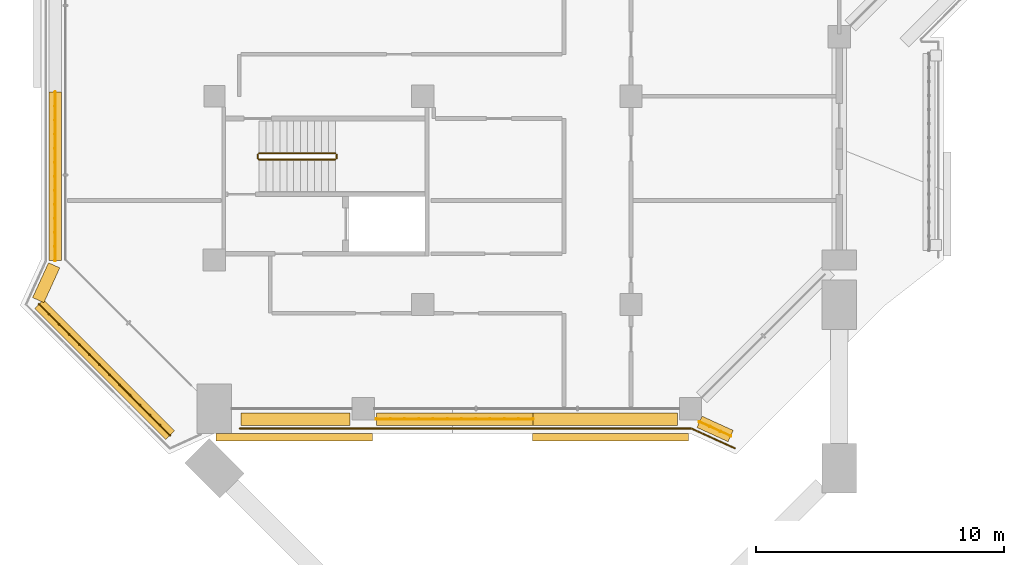
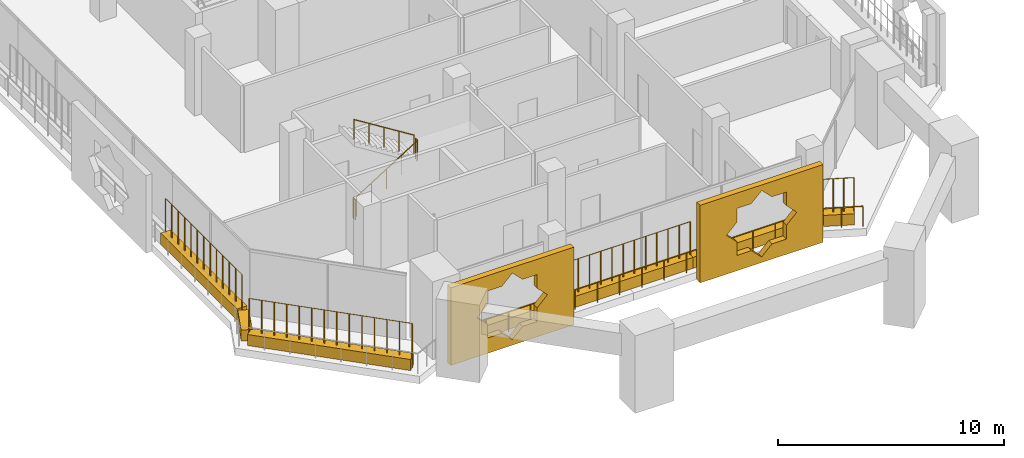
# One storey, part 17 of 23: 9 coverings, 9 railings.
"""IFC4 building model written with IfcOpenShell, lengths in metres."""

from ifc_helpers import new_model, si_unit, direction, frame, origin, origin_2d, place, context, subcontext, project, spatial, polyline, rectangle, circle, outline, extrude, material, material_profile, profile_set, type_object, element, save


model = new_model("IFC4")

# Units and contexts
model_context = context("Model", 3, precision=1e-05, world=origin(), true_north=direction((0.0, 1.0)))
body_context = subcontext(model_context, "Body", "Model", "MODEL_VIEW")
ifc_project = project(units=[si_unit("LENGTHUNIT", "METRE"), si_unit("AREAUNIT", "SQUARE_METRE"), si_unit("VOLUMEUNIT", "CUBIC_METRE"), si_unit("PLANEANGLEUNIT", "RADIAN"), si_unit("MASSUNIT", "GRAM", prefix="KILO")], contexts=[model_context])

# Site, building, storey
site_placement = place(None, origin())
site = spatial("IfcSite", under=ifc_project, at=site_placement, CompositionType="ELEMENT")
building_placement = place(site_placement, origin())
building = spatial("IfcBuilding", under=site, at=building_placement, Name="Kawkab Arch Medical Tower", CompositionType="ELEMENT")
storey_placement = place(building_placement, frame((0.0, 0.0, 222.199951171875)))
storey = spatial("IfcBuildingStorey", under=building, at=storey_placement, Name="L51", CompositionType="ELEMENT", Elevation=222.199951171875)

# Railing
ifc_material_1 = material(Name="Bronze anodised aluminium guard", Category="aluminium")
railing_type_1 = type_object("IfcRailingType", Name="Loggia and terrace guard 1100", PredefinedType="GUARDRAIL", material=ifc_material_1)
railing_1_placement = place(storey_placement, frame((20.9951171875, -47.798095703125, 0.0)))
element("IfcRailing", 1, at=railing_1_placement, inside=storey, type_object=railing_type_1, Name="Guard L51.LOG-01.2.1", PredefinedType="GUARDRAIL", context=body_context, shape_type="SweptSolid", body=[
    extrude(circle(Radius=0.02392578125, at=origin_2d()), frame((0.0, 0.0, 1.076171875), z_axis=(-0.910044860056, 0.414509773934, 0.0), x_axis=(-0.414509773934, -0.910044860056, 0.0)), (0.0, 0.0, 1.0), 1.92529296875),
    extrude(circle(Radius=0.02392578125, at=origin_2d()), frame((-1.752197265625, 0.798095703125, 1.076171875), z_axis=(-1.0, 0.0, 0.0), x_axis=(0.0, -1.0, 0.0)), (0.0, 0.0, 1.0), 18.212890625),
    extrude(circle(Radius=0.02099609375, at=origin_2d()), origin(), (0.0, 0.0, 1.0), 1.052001953125),
    extrude(circle(Radius=0.02099609375, at=origin_2d()), frame((-0.8759765625, 0.39892578125, 0.0)), (0.0, 0.0, 1.0), 1.052001953125),
    extrude(circle(Radius=0.02099609375, at=origin_2d()), frame((-1.752197265625, 0.798095703125, 0.0)), (0.0, 0.0, 1.0), 1.052001953125),
    extrude(circle(Radius=0.02099609375, at=origin_2d()), frame((-2.890625, 0.798095703125, 0.0)), (0.0, 0.0, 1.0), 1.052001953125),
    extrude(circle(Radius=0.02099609375, at=origin_2d()), frame((-4.02880859375, 0.798095703125, 0.0)), (0.0, 0.0, 1.0), 1.052001953125),
    extrude(circle(Radius=0.02099609375, at=origin_2d()), frame((-5.1669921875, 0.798095703125, 0.0)), (0.0, 0.0, 1.0), 1.052001953125),
    extrude(circle(Radius=0.02099609375, at=origin_2d()), frame((-6.305419921875, 0.798095703125, 0.0)), (0.0, 0.0, 1.0), 1.052001953125),
    extrude(circle(Radius=0.02099609375, at=origin_2d()), frame((-7.44384765625, 0.798095703125, 0.0)), (0.0, 0.0, 1.0), 1.052001953125),
    extrude(circle(Radius=0.02099609375, at=origin_2d()), frame((-8.58203125, 0.798095703125, 0.0)), (0.0, 0.0, 1.0), 1.052001953125),
    extrude(circle(Radius=0.02099609375, at=origin_2d()), frame((-9.72021484375, 0.798095703125, 0.0)), (0.0, 0.0, 1.0), 1.052001953125),
    extrude(circle(Radius=0.02099609375, at=origin_2d()), frame((-10.858642578125, 0.798095703125, 0.0)), (0.0, 0.0, 1.0), 1.052001953125),
    extrude(circle(Radius=0.02099609375, at=origin_2d()), frame((-11.9970703125, 0.798095703125, 0.0)), (0.0, 0.0, 1.0), 1.052001953125),
    extrude(circle(Radius=0.02099609375, at=origin_2d()), frame((-13.13525390625, 0.798095703125, 0.0)), (0.0, 0.0, 1.0), 1.052001953125),
    extrude(circle(Radius=0.02099609375, at=origin_2d()), frame((-14.2734375, 0.798095703125, 0.0)), (0.0, 0.0, 1.0), 1.052001953125),
    extrude(circle(Radius=0.02099609375, at=origin_2d()), frame((-15.411865234375, 0.798095703125, 0.0)), (0.0, 0.0, 1.0), 1.052001953125),
    extrude(circle(Radius=0.02099609375, at=origin_2d()), frame((-16.55029296875, 0.798095703125, 0.0)), (0.0, 0.0, 1.0), 1.052001953125),
    extrude(circle(Radius=0.02099609375, at=origin_2d()), frame((-17.6884765625, 0.798095703125, 0.0)), (0.0, 0.0, 1.0), 1.052001953125),
    extrude(circle(Radius=0.02099609375, at=origin_2d()), frame((-18.82666015625, 0.798095703125, 0.0)), (0.0, 0.0, 1.0), 1.052001953125),
    extrude(circle(Radius=0.02099609375, at=origin_2d()), frame((-19.965087890625, 0.798095703125, 0.0)), (0.0, 0.0, 1.0), 1.052001953125),
])

# Coverings
ifc_material_2 = material(Name="Bronze anodised aluminium mashrabiya panel, eight-point star pattern", Category="aluminium")
ifc_material_profile_1 = material_profile(ifc_material_2, outline(polyline([(-3.14990234375, -2.10009765625), (3.14990234375, -2.10009765625), (3.14990234375, 2.10009765625), (-3.14990234375, 2.10009765625), (-3.14990234375, -2.10009765625)]), holes=[polyline([(1.800048828125, 0.0), (1.272705078125, 0.527099609375), (1.272705078125, 1.272705078125), (0.527099609375, 1.272705078125), (0.0, 1.800048828125), (-0.527099609375, 1.272705078125), (-1.272705078125, 1.272705078125), (-1.272705078125, 0.527099609375), (-1.800048828125, 0.0), (-1.272705078125, -0.527099609375), (-1.272705078125, -1.272705078125), (-0.527099609375, -1.272705078125), (0.0, -1.800048828125), (0.527099609375, -1.272705078125), (1.272705078125, -1.272705078125), (1.272705078125, -0.527099609375), (1.800048828125, 0.0)])]), Name="Mashrabiya panel 6300x4200")
ifc_profile_set_1 = profile_set([ifc_material_profile_1], Name="Bronze anodised aluminium mashrabiya panel, eight-point star pattern")
covering_type_1 = type_object("IfcCoveringType", Name="Mashrabiya panel 6300 x 4200", PredefinedType="USERDEFINED", material=ifc_profile_set_1)
for number, where, z_axis, x_axis, name in (
    (2, (15.9814453125, -47.199951171875, 1.699951171875), (0.0, -1.0, 0.0), (1.0, 0.0, 0.0), "Mashrabiya panel L51.LOG-01-02.1"),
    (3, (3.218505859375, -47.199951171875, 1.699951171875), (0.0, -1.0, 0.0), (1.0, 0.0, 0.0), "Mashrabiya panel L51.LOG-01-02.2"),
):
    element("IfcCovering", number, at=place(storey_placement, frame(where, z_axis=z_axis, x_axis=x_axis)), inside=storey, type_object=covering_type_1, Name=name, ObjectType="SCREEN", PredefinedType="USERDEFINED", context=body_context, shape_type="SweptSolid", body=[
        extrude(outline(polyline([(-3.14990234375, -2.10009765625), (3.14990234375, -2.10009765625), (3.14990234375, 2.10009765625), (-3.14990234375, 2.10009765625), (-3.14990234375, -2.10009765625)]), holes=[polyline([(1.800048828125, 0.0), (1.272705078125, 0.527099609375), (1.272705078125, 1.272705078125), (0.527099609375, 1.272705078125), (0.0, 1.800048828125), (-0.527099609375, 1.272705078125), (-1.272705078125, 1.272705078125), (-1.272705078125, 0.527099609375), (-1.800048828125, 0.0), (-1.272705078125, -0.527099609375), (-1.272705078125, -1.272705078125), (-0.527099609375, -1.272705078125), (0.0, -1.800048828125), (0.527099609375, -1.272705078125), (1.272705078125, -1.272705078125), (1.272705078125, -0.527099609375), (1.800048828125, 0.0)])]), origin(), (0.0, 0.0, 1.0), 0.300048828125),
    ])
ifc_material_3 = material(Name="Planting soil in a precast trough", Category="concrete")
ifc_material_profile_2 = material_profile(ifc_material_3, rectangle(XDim=0.5, YDim=0.60009765625, at=origin_2d()), Name="Trough 500x600")
ifc_profile_set_2 = profile_set([ifc_material_profile_2], Name="Planting soil in a precast trough")
covering_type_2 = type_object("IfcCoveringType", Name="Planter trough 500 x 600", PredefinedType="USERDEFINED", material=ifc_profile_set_2)
covering_1_placement = place(storey_placement, frame((20.821044921875, -47.302001953125, 0.300048828125), z_axis=(-0.909831953447, 0.41497688669, 0.0), x_axis=(-0.41497688669, -0.909831953447, 0.0)))
element("IfcCovering", 4, at=covering_1_placement, inside=storey, type_object=covering_type_2, Name="Planter L51.LOG-01-02.1", ObjectType="PLANTER", PredefinedType="USERDEFINED", context=body_context, shape_type="SweptSolid", body=[
    extrude(rectangle(XDim=0.5, YDim=0.60009765625, at=origin_2d()), origin(), (0.0, 0.0, 1.0), 1.37841796875),
])
covering_2_placement = place(storey_placement, frame((18.669921875, -46.6201171875, 0.300048828125), z_axis=(-1.0, 0.0, 0.0), x_axis=(0.0, -1.0, 0.0)))
element("IfcCovering", 5, at=covering_2_placement, inside=storey, type_object=covering_type_2, Name="Planter L51.LOG-01-02.2", ObjectType="PLANTER", PredefinedType="USERDEFINED", context=body_context, shape_type="SweptSolid", body=[
    extrude(rectangle(XDim=0.5, YDim=0.60009765625, at=origin_2d()), origin(), (0.0, 0.0, 1.0), 5.827880859375),
])
covering_3_placement = place(storey_placement, frame((12.842041015625, -46.6201171875, 0.300048828125), z_axis=(-1.0, 0.0, 0.0), x_axis=(0.0, -1.0, 0.0)))
element("IfcCovering", 6, at=covering_3_placement, inside=storey, type_object=covering_type_2, Name="Planter L51.LOG-01-02.3", ObjectType="PLANTER", PredefinedType="USERDEFINED", context=body_context, shape_type="SweptSolid", body=[
    extrude(rectangle(XDim=0.5, YDim=0.60009765625, at=origin_2d()), origin(), (0.0, 0.0, 1.0), 6.31201171875),
])
covering_4_placement = place(storey_placement, frame((5.469970703125, -46.6201171875, 0.300048828125), z_axis=(-1.0, 0.0, 0.0), x_axis=(0.0, -1.0, 0.0)))
element("IfcCovering", 7, at=covering_4_placement, inside=storey, type_object=covering_type_2, Name="Planter L51.LOG-01-02.4", ObjectType="PLANTER", PredefinedType="USERDEFINED", context=body_context, shape_type="SweptSolid", body=[
    extrude(rectangle(XDim=0.5, YDim=0.60009765625, at=origin_2d()), origin(), (0.0, 0.0, 1.0), 4.389892578125),
])
covering_5_placement = place(storey_placement, frame((-1.782958984375, -47.27294921875, 0.300048828125), z_axis=(-0.707106781187, 0.707106781187, 0.0), x_axis=(-0.707106781187, -0.707106781187, 0.0)))
element("IfcCovering", 8, at=covering_5_placement, inside=storey, type_object=covering_type_2, Name="Planter L51.LOG-01-02.5", ObjectType="PLANTER", PredefinedType="USERDEFINED", context=body_context, shape_type="SweptSolid", body=[
    extrude(rectangle(XDim=0.5, YDim=0.60009765625, at=origin_2d()), origin(), (0.0, 0.0, 1.0), 7.481201171875),
])
covering_6_placement = place(storey_placement, frame((-7.10205078125, -41.821044921875, 0.300048828125), z_axis=(0.415363486165, 0.909655525109, 0.0), x_axis=(-0.909655525109, 0.415363486165, 0.0)))
element("IfcCovering", 9, at=covering_6_placement, inside=storey, type_object=covering_type_2, Name="Planter L51.LOG-01-02.6", ObjectType="PLANTER", PredefinedType="USERDEFINED", context=body_context, shape_type="SweptSolid", body=[
    extrude(rectangle(XDim=0.5, YDim=0.60009765625, at=origin_2d()), origin(), (0.0, 0.0, 1.0), 1.54345703125),
])
covering_7_placement = place(storey_placement, frame((-6.419921875, -40.22607421875, 0.300048828125), z_axis=(0.0, 1.0, 0.0), x_axis=(-1.0, 0.0, 0.0)))
element("IfcCovering", 10, at=covering_7_placement, inside=storey, type_object=covering_type_2, Name="Planter L51.LOG-01-02.7", ObjectType="PLANTER", PredefinedType="USERDEFINED", context=body_context, shape_type="SweptSolid", body=[
    extrude(rectangle(XDim=0.5, YDim=0.60009765625, at=origin_2d()), origin(), (0.0, 0.0, 1.0), 6.7900390625),
])

# Railings
ifc_material_4 = material(Name="Bronze anodised aluminium trellis for climbing plants", Category="aluminium")
railing_type_2 = type_object("IfcRailingType", Name="Planting trellis 2400", PredefinedType="USERDEFINED", material=ifc_material_4)
railing_2_placement = place(storey_placement, frame((20.821044921875, -47.302001953125, 0.0)))
element("IfcRailing", 11, at=railing_2_placement, inside=storey, type_object=railing_type_2, Name="Planting trellis L51.LOG-01-02.1", ObjectType="TRELLIS", PredefinedType="USERDEFINED", context=body_context, shape_type="SweptSolid", body=[
    extrude(circle(Radius=0.01513671875, at=origin_2d()), frame((0.0, 0.0, 2.384765625), z_axis=(-0.909831953447, 0.41497688669, 0.0), x_axis=(-0.41497688669, -0.909831953447, 0.0)), (0.0, 0.0, 1.0), 1.37841796875),
    extrude(circle(Radius=0.030029296875, at=origin_2d()), origin(), (0.0, 0.0, 1.0), 2.369873046875),
    extrude(circle(Radius=0.030029296875, at=origin_2d()), frame((-0.41796875, 0.190673828125, 0.0)), (0.0, 0.0, 1.0), 2.369873046875),
    extrude(circle(Radius=0.030029296875, at=origin_2d()), frame((-0.836181640625, 0.38134765625, 0.0)), (0.0, 0.0, 1.0), 2.369873046875),
    extrude(circle(Radius=0.030029296875, at=origin_2d()), frame((-1.254150390625, 0.572021484375, 0.0)), (0.0, 0.0, 1.0), 2.369873046875),
])
railing_3_placement = place(storey_placement, frame((12.842041015625, -46.6201171875, 0.0)))
element("IfcRailing", 12, at=railing_3_placement, inside=storey, type_object=railing_type_2, Name="Planting trellis L51.LOG-01-02.3", ObjectType="TRELLIS", PredefinedType="USERDEFINED", context=body_context, shape_type="SweptSolid", body=[
    extrude(circle(Radius=0.01513671875, at=origin_2d()), frame((0.0, 0.0, 2.384765625), z_axis=(-1.0, 0.0, 0.0), x_axis=(0.0, -1.0, 0.0)), (0.0, 0.0, 1.0), 6.31201171875),
    extrude(circle(Radius=0.030029296875, at=origin_2d()), origin(), (0.0, 0.0, 1.0), 2.369873046875),
    extrude(circle(Radius=0.030029296875, at=origin_2d()), frame((-0.57373046875, 0.0, 0.0)), (0.0, 0.0, 1.0), 2.369873046875),
    extrude(circle(Radius=0.030029296875, at=origin_2d()), frame((-1.147705078125, 0.0, 0.0)), (0.0, 0.0, 1.0), 2.369873046875),
    extrude(circle(Radius=0.030029296875, at=origin_2d()), frame((-1.721435546875, 0.0, 0.0)), (0.0, 0.0, 1.0), 2.369873046875),
    extrude(circle(Radius=0.030029296875, at=origin_2d()), frame((-2.295166015625, 0.0, 0.0)), (0.0, 0.0, 1.0), 2.369873046875),
    extrude(circle(Radius=0.030029296875, at=origin_2d()), frame((-2.869140625, 0.0, 0.0)), (0.0, 0.0, 1.0), 2.369873046875),
    extrude(circle(Radius=0.030029296875, at=origin_2d()), frame((-3.44287109375, 0.0, 0.0)), (0.0, 0.0, 1.0), 2.369873046875),
    extrude(circle(Radius=0.030029296875, at=origin_2d()), frame((-4.016845703125, 0.0, 0.0)), (0.0, 0.0, 1.0), 2.369873046875),
    extrude(circle(Radius=0.030029296875, at=origin_2d()), frame((-4.590576171875, 0.0, 0.0)), (0.0, 0.0, 1.0), 2.369873046875),
    extrude(circle(Radius=0.030029296875, at=origin_2d()), frame((-5.164306640625, 0.0, 0.0)), (0.0, 0.0, 1.0), 2.369873046875),
    extrude(circle(Radius=0.030029296875, at=origin_2d()), frame((-5.73828125, 0.0, 0.0)), (0.0, 0.0, 1.0), 2.369873046875),
    extrude(circle(Radius=0.030029296875, at=origin_2d()), frame((-6.31201171875, 0.0, 0.0)), (0.0, 0.0, 1.0), 2.369873046875),
])
railing_4_placement = place(storey_placement, frame((-1.782958984375, -47.27294921875, 0.0)))
element("IfcRailing", 13, at=railing_4_placement, inside=storey, type_object=railing_type_2, Name="Planting trellis L51.LOG-01-02.5", ObjectType="TRELLIS", PredefinedType="USERDEFINED", context=body_context, shape_type="SweptSolid", body=[
    extrude(circle(Radius=0.01513671875, at=origin_2d()), frame((0.0, 0.0, 2.384765625), z_axis=(-0.707106781187, 0.707106781187, 0.0), x_axis=(-0.707106781187, -0.707106781187, 0.0)), (0.0, 0.0, 1.0), 7.481201171875),
    extrude(circle(Radius=0.030029296875, at=origin_2d()), origin(), (0.0, 0.0, 1.0), 2.369873046875),
    extrude(circle(Radius=0.030029296875, at=origin_2d()), frame((-0.406982421875, 0.406982421875, 0.0)), (0.0, 0.0, 1.0), 2.369873046875),
    extrude(circle(Radius=0.030029296875, at=origin_2d()), frame((-0.81396484375, 0.81396484375, 0.0)), (0.0, 0.0, 1.0), 2.369873046875),
    extrude(circle(Radius=0.030029296875, at=origin_2d()), frame((-1.220703125, 1.220703125, 0.0)), (0.0, 0.0, 1.0), 2.369873046875),
    extrude(circle(Radius=0.030029296875, at=origin_2d()), frame((-1.627685546875, 1.627685546875, 0.0)), (0.0, 0.0, 1.0), 2.369873046875),
    extrude(circle(Radius=0.030029296875, at=origin_2d()), frame((-2.03466796875, 2.03466796875, 0.0)), (0.0, 0.0, 1.0), 2.369873046875),
    extrude(circle(Radius=0.030029296875, at=origin_2d()), frame((-2.441650390625, 2.441650390625, 0.0)), (0.0, 0.0, 1.0), 2.369873046875),
    extrude(circle(Radius=0.030029296875, at=origin_2d()), frame((-2.848388671875, 2.848388671875, 0.0)), (0.0, 0.0, 1.0), 2.369873046875),
    extrude(circle(Radius=0.030029296875, at=origin_2d()), frame((-3.25537109375, 3.25537109375, 0.0)), (0.0, 0.0, 1.0), 2.369873046875),
    extrude(circle(Radius=0.030029296875, at=origin_2d()), frame((-3.662353515625, 3.662353515625, 0.0)), (0.0, 0.0, 1.0), 2.369873046875),
    extrude(circle(Radius=0.030029296875, at=origin_2d()), frame((-4.0693359375, 4.0693359375, 0.0)), (0.0, 0.0, 1.0), 2.369873046875),
    extrude(circle(Radius=0.030029296875, at=origin_2d()), frame((-4.47607421875, 4.47607421875, 0.0)), (0.0, 0.0, 1.0), 2.369873046875),
    extrude(circle(Radius=0.030029296875, at=origin_2d()), frame((-4.883056640625, 4.883056640625, 0.0)), (0.0, 0.0, 1.0), 2.369873046875),
    extrude(circle(Radius=0.030029296875, at=origin_2d()), frame((-5.2900390625, 5.2900390625, 0.0)), (0.0, 0.0, 1.0), 2.369873046875),
])
railing_5_placement = place(storey_placement, frame((-6.419921875, -40.22607421875, 0.0)))
element("IfcRailing", 14, at=railing_5_placement, inside=storey, type_object=railing_type_2, Name="Planting trellis L51.LOG-01-02.7", ObjectType="TRELLIS", PredefinedType="USERDEFINED", context=body_context, shape_type="SweptSolid", body=[
    extrude(circle(Radius=0.01513671875, at=origin_2d()), frame((0.0, 0.0, 2.384765625), z_axis=(0.0, 1.0, 0.0), x_axis=(-1.0, 0.0, 0.0)), (0.0, 0.0, 1.0), 6.7900390625),
    extrude(circle(Radius=0.030029296875, at=origin_2d()), origin(), (0.0, 0.0, 1.0), 2.369873046875),
    extrude(circle(Radius=0.030029296875, at=origin_2d()), frame((0.0, 0.56591796875, 0.0)), (0.0, 0.0, 1.0), 2.369873046875),
    extrude(circle(Radius=0.030029296875, at=origin_2d()), frame((0.0, 1.131591796875, 0.0)), (0.0, 0.0, 1.0), 2.369873046875),
    extrude(circle(Radius=0.030029296875, at=origin_2d()), frame((0.0, 1.697509765625, 0.0)), (0.0, 0.0, 1.0), 2.369873046875),
    extrude(circle(Radius=0.030029296875, at=origin_2d()), frame((0.0, 2.263427734375, 0.0)), (0.0, 0.0, 1.0), 2.369873046875),
    extrude(circle(Radius=0.030029296875, at=origin_2d()), frame((0.0, 2.8291015625, 0.0)), (0.0, 0.0, 1.0), 2.369873046875),
    extrude(circle(Radius=0.030029296875, at=origin_2d()), frame((0.0, 3.39501953125, 0.0)), (0.0, 0.0, 1.0), 2.369873046875),
    extrude(circle(Radius=0.030029296875, at=origin_2d()), frame((0.0, 3.9609375, 0.0)), (0.0, 0.0, 1.0), 2.369873046875),
    extrude(circle(Radius=0.030029296875, at=origin_2d()), frame((0.0, 4.526611328125, 0.0)), (0.0, 0.0, 1.0), 2.369873046875),
    extrude(circle(Radius=0.030029296875, at=origin_2d()), frame((0.0, 5.092529296875, 0.0)), (0.0, 0.0, 1.0), 2.369873046875),
    extrude(circle(Radius=0.030029296875, at=origin_2d()), frame((0.0, 5.658447265625, 0.0)), (0.0, 0.0, 1.0), 2.369873046875),
    extrude(circle(Radius=0.030029296875, at=origin_2d()), frame((0.0, 6.22412109375, 0.0)), (0.0, 0.0, 1.0), 2.369873046875),
    extrude(circle(Radius=0.030029296875, at=origin_2d()), frame((0.0, 6.7900390625, 0.0)), (0.0, 0.0, 1.0), 2.369873046875),
])
ifc_material_5 = material(Name="Stainless steel", Category="steel")
railing_type_3 = type_object("IfcRailingType", Name="Stair guard 1100", PredefinedType="GUARDRAIL", material=ifc_material_5)
railing_6_placement = place(storey_placement, frame((1.800048828125, -36.14990234375, 0.175048828125)))
element("IfcRailing", 15, at=railing_6_placement, inside=storey, type_object=railing_type_3, Name="L51 ST6 stair guard 1", PredefinedType="GUARDRAIL", context=body_context, shape_type="SweptSolid", body=[
    extrude(circle(Radius=0.02392578125, at=origin_2d()), frame((0.0, 0.0, 1.076171875), z_axis=(0.847979421464, 0.0, 0.530029150871), x_axis=(0.0, 1.0, 0.0)), (0.0, 0.0, 1.0), 3.632080078125),
    extrude(circle(Radius=0.02099609375, at=origin_2d()), origin(), (0.0, 0.0, 1.0), 1.052001953125),
    extrude(circle(Radius=0.02099609375, at=origin_2d()), frame((0.77001953125, 0.0, 0.481201171875)), (0.0, 0.0, 1.0), 1.052001953125),
    extrude(circle(Radius=0.02099609375, at=origin_2d()), frame((1.5400390625, 0.0, 0.96240234375)), (0.0, 0.0, 1.0), 1.052001953125),
    extrude(circle(Radius=0.02099609375, at=origin_2d()), frame((2.309814453125, 0.0, 1.44384765625)), (0.0, 0.0, 1.0), 1.052001953125),
    extrude(circle(Radius=0.02099609375, at=origin_2d()), frame((3.079833984375, 0.0, 1.925048828125)), (0.0, 0.0, 1.0), 1.052001953125),
])
railing_7_placement = place(storey_placement, frame((4.929931640625, -36.10009765625, 2.10009765625)))
element("IfcRailing", 16, at=railing_7_placement, inside=storey, type_object=railing_type_3, Name="L51 ST6 stair guard 2", PredefinedType="GUARDRAIL", context=body_context, shape_type="SweptSolid", body=[
    extrude(circle(Radius=0.02392578125, at=origin_2d()), frame((0.0, 0.0, 1.076171875), z_axis=(0.0, 1.0, 0.0), x_axis=(-1.0, 0.0, 0.0)), (0.0, 0.0, 1.0), 0.150146484375),
    extrude(circle(Radius=0.02099609375, at=origin_2d()), origin(), (0.0, 0.0, 1.0), 1.052001953125),
    extrude(circle(Radius=0.02099609375, at=origin_2d()), frame((0.0, 0.150146484375, 0.0)), (0.0, 0.0, 1.0), 1.052001953125),
])
railing_8_placement = place(storey_placement, frame((4.8798828125, -35.89990234375, 2.275146484375)))
element("IfcRailing", 17, at=railing_8_placement, inside=storey, type_object=railing_type_3, Name="L51 ST6 stair guard 3", PredefinedType="GUARDRAIL", context=body_context, shape_type="SweptSolid", body=[
    extrude(circle(Radius=0.02392578125, at=origin_2d()), frame((0.0, 0.0, 1.076171875), z_axis=(-0.848009633417, 0.0, 0.529980812513), x_axis=(0.0, -1.0, 0.0)), (0.0, 0.0, 1.0), 3.6318359375),
    extrude(circle(Radius=0.02099609375, at=origin_2d()), origin(), (0.0, 0.0, 1.0), 1.052001953125),
    extrude(circle(Radius=0.02099609375, at=origin_2d()), frame((-0.77001953125, 0.0, 0.481201171875)), (0.0, 0.0, 1.0), 1.052001953125),
    extrude(circle(Radius=0.02099609375, at=origin_2d()), frame((-1.5400390625, 0.0, 0.96240234375)), (0.0, 0.0, 1.0), 1.052001953125),
    extrude(circle(Radius=0.02099609375, at=origin_2d()), frame((-2.309814453125, 0.0, 1.443603515625)), (0.0, 0.0, 1.0), 1.052001953125),
    extrude(circle(Radius=0.02099609375, at=origin_2d()), frame((-3.079833984375, 0.0, 1.9248046875)), (0.0, 0.0, 1.0), 1.052001953125),
])
railing_9_placement = place(storey_placement, frame((1.75, -36.10009765625, 0.0)))
element("IfcRailing", 18, at=railing_9_placement, inside=storey, type_object=railing_type_3, Name="L51 ST6 stair guard 4", PredefinedType="GUARDRAIL", context=body_context, shape_type="SweptSolid", body=[
    extrude(circle(Radius=0.02392578125, at=origin_2d()), frame((0.0, 0.0, 1.076171875), z_axis=(0.0, 1.0, 0.0), x_axis=(-1.0, 0.0, 0.0)), (0.0, 0.0, 1.0), 0.150146484375),
    extrude(circle(Radius=0.02099609375, at=origin_2d()), origin(), (0.0, 0.0, 1.0), 1.052001953125),
    extrude(circle(Radius=0.02099609375, at=origin_2d()), frame((0.0, 0.150146484375, 0.0)), (0.0, 0.0, 1.0), 1.052001953125),
])

save(model, "model.ifc")
